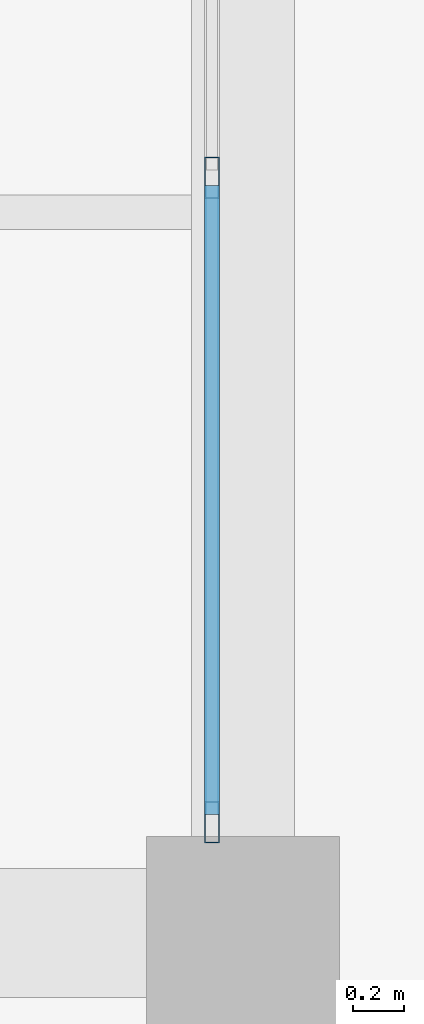
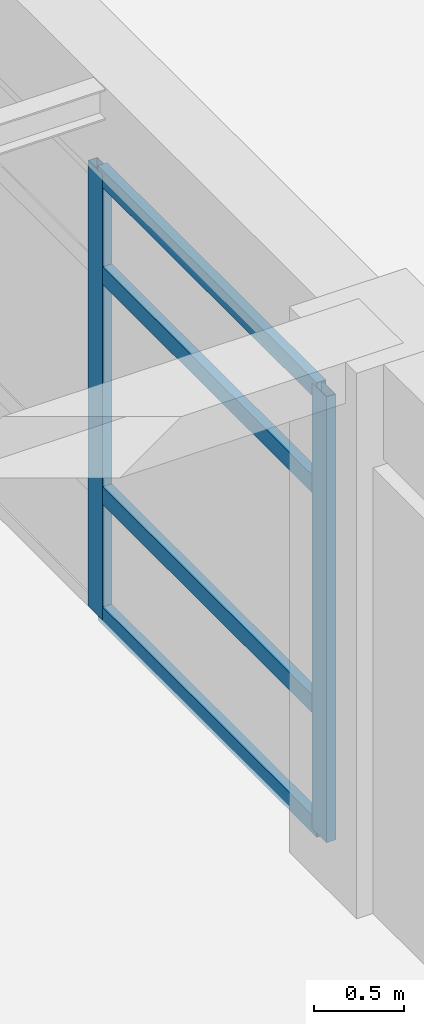
# One storey, part 22 of 35: 6 members, 1 element without a shape of its own.
"""IFC4 building model written with IfcOpenShell, lengths in metres."""

from ifc_helpers import new_model, si_unit, direction, frame, origin, origin_2d, place, context, subcontext, project, spatial, hollow_rectangle, extrude, material, material_profile, profile_set, type_object, element, aggregate, save


model = new_model("IFC4")

# Units and contexts
model_context = context("Model", 3, precision=1e-05, world=origin(), true_north=direction((0.0, 1.0)))
body_context = subcontext(model_context, "Body", "Model", "MODEL_VIEW")
ifc_project = project(units=[si_unit("LENGTHUNIT", "METRE"), si_unit("AREAUNIT", "SQUARE_METRE"), si_unit("VOLUMEUNIT", "CUBIC_METRE"), si_unit("PLANEANGLEUNIT", "RADIAN"), si_unit("MASSUNIT", "GRAM", prefix="KILO")], contexts=[model_context])

# Site, building, storey
site_placement = place(None, origin())
site = spatial("IfcSite", under=ifc_project, at=site_placement, CompositionType="ELEMENT")
building_placement = place(site_placement, origin())
building = spatial("IfcBuilding", under=site, at=building_placement, Name="Almacenes y Pasaje Nevantli", CompositionType="ELEMENT")
storey_placement = place(building_placement, frame((0.0, 0.0, 26.699951171875)))
storey = spatial("IfcBuildingStorey", under=building, at=storey_placement, Name="L06", CompositionType="ELEMENT", Elevation=26.699951171875)

# Curtain wall, members
ifc_material_1 = material(Name="Thermally Broken Aluminium and Low-E Glass", Category="aluminium")
curtain_wall_type = type_object("IfcCurtainWallType", Name="CW-UNIT-TOWER", PredefinedType="USERDEFINED", material=ifc_material_1)
curtain_wall_placement = place(storey_placement, origin())
curtain_wall = element("IfcCurtainWall", 1, at=curtain_wall_placement, inside=storey, type_object=curtain_wall_type, Name="L06 Tower East Curtain Wall Bay 12", ObjectType="UNITIZED CURTAIN WALL", PredefinedType="USERDEFINED")
ifc_material_2 = material(Name="Thermally Broken Anodized Aluminium", Category="aluminium")
ifc_material_profile_1 = material_profile(ifc_material_2, hollow_rectangle(XDim=0.06005859375, YDim=0.159912109375, WallThickness=0.00390625, at=origin_2d()), Name="ALU-MUL-60x160")
ifc_profile_set_1 = profile_set([ifc_material_profile_1], Name="Thermally Broken Anodized Aluminium")
member_type_1 = type_object("IfcMemberType", Name="CW-MUL-180", PredefinedType="MULLION", material=ifc_profile_set_1)
member_1_placement = place(storey_placement, frame((159.47998046875, 92.830078125, 0.0), z_axis=(0.0, 0.0, 1.0), x_axis=(-1.0, 0.0, 0.0)))
member_1 = element("IfcMember", 2, at=member_1_placement, type_object=member_type_1, Name="CW-L06-110 mullion 1", PredefinedType="MULLION", context=body_context, shape_type="SweptSolid", body=[
    extrude(hollow_rectangle(XDim=0.06005859375, YDim=0.159912109375, WallThickness=0.00390625, at=origin_2d()), origin(), (0.0, 0.0, 1.0), 3.0400390625),
])
member_2_placement = place(storey_placement, frame((159.47998046875, 95.333251953125, 0.0), z_axis=(0.0, 0.0, 1.0), x_axis=(-1.0, 0.0, 0.0)))
member_2 = element("IfcMember", 3, at=member_2_placement, type_object=member_type_1, Name="CW-L06-110 mullion 2", PredefinedType="MULLION", context=body_context, shape_type="SweptSolid", body=[
    extrude(hollow_rectangle(XDim=0.06005859375, YDim=0.159912109375, WallThickness=0.00390625, at=origin_2d()), origin(), (0.0, 0.0, 1.0), 3.0400390625),
])
ifc_material_3 = material(Name="Thermally Broken Anodized Aluminium", Category="aluminium")
ifc_material_profile_2 = material_profile(ifc_material_3, hollow_rectangle(XDim=0.06005859375, YDim=0.1201171875, WallThickness=0.00341796875, at=origin_2d()), Name="ALU-TRN-60x120")
ifc_profile_set_2 = profile_set([ifc_material_profile_2], Name="Thermally Broken Anodized Aluminium")
member_type_2 = type_object("IfcMemberType", Name="CW-TRN-130", PredefinedType="USERDEFINED", material=ifc_profile_set_2)
member_3_placement = place(storey_placement, frame((159.47998046875, 92.860107421875, 0.030029296875), z_axis=(0.0, 1.0, 0.0), x_axis=(-1.0, 0.0, 0.0)))
member_3 = element("IfcMember", 4, at=member_3_placement, type_object=member_type_2, Name="CW-L06-110 transom 1.1", ObjectType="TRANSOM", PredefinedType="USERDEFINED", context=body_context, shape_type="SweptSolid", body=[
    extrude(hollow_rectangle(XDim=0.06005859375, YDim=0.1201171875, WallThickness=0.00341796875, at=origin_2d()), origin(), (0.0, 0.0, 1.0), 2.443115234375),
])
member_4_placement = place(storey_placement, frame((159.47998046875, 92.860107421875, 0.85009765625), z_axis=(0.0, 1.0, 0.0), x_axis=(-1.0, 0.0, 0.0)))
member_4 = element("IfcMember", 5, at=member_4_placement, type_object=member_type_2, Name="CW-L06-110 transom 1.2", ObjectType="TRANSOM", PredefinedType="USERDEFINED", context=body_context, shape_type="SweptSolid", body=[
    extrude(hollow_rectangle(XDim=0.06005859375, YDim=0.1201171875, WallThickness=0.00341796875, at=origin_2d()), origin(), (0.0, 0.0, 1.0), 2.443115234375),
])
member_5_placement = place(storey_placement, frame((159.47998046875, 92.860107421875, 2.35009765625), z_axis=(0.0, 1.0, 0.0), x_axis=(-1.0, 0.0, 0.0)))
member_5 = element("IfcMember", 6, at=member_5_placement, type_object=member_type_2, Name="CW-L06-110 transom 1.3", ObjectType="TRANSOM", PredefinedType="USERDEFINED", context=body_context, shape_type="SweptSolid", body=[
    extrude(hollow_rectangle(XDim=0.06005859375, YDim=0.1201171875, WallThickness=0.00341796875, at=origin_2d()), origin(), (0.0, 0.0, 1.0), 2.443115234375),
])
member_6_placement = place(storey_placement, frame((159.47998046875, 92.860107421875, 3.010009765625), z_axis=(0.0, 1.0, 0.0), x_axis=(-1.0, 0.0, 0.0)))
member_6 = element("IfcMember", 7, at=member_6_placement, type_object=member_type_2, Name="CW-L06-110 transom 1.4", ObjectType="TRANSOM", PredefinedType="USERDEFINED", context=body_context, shape_type="SweptSolid", body=[
    extrude(hollow_rectangle(XDim=0.06005859375, YDim=0.1201171875, WallThickness=0.00341796875, at=origin_2d()), origin(), (0.0, 0.0, 1.0), 2.443115234375),
])
aggregate(curtain_wall, [member_1, member_2, member_3, member_4, member_5, member_6])

save(model, "model.ifc")
